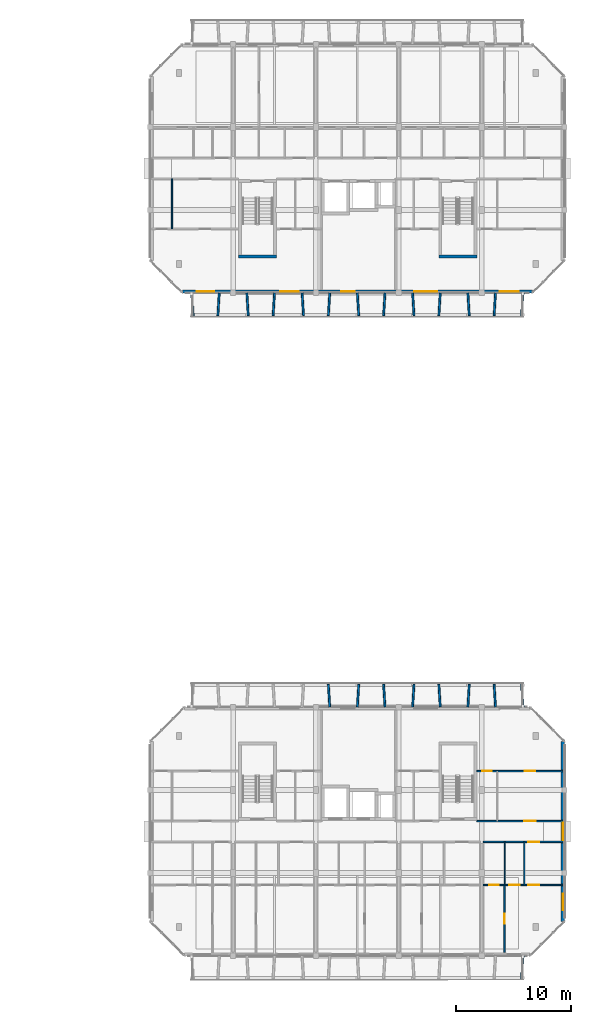
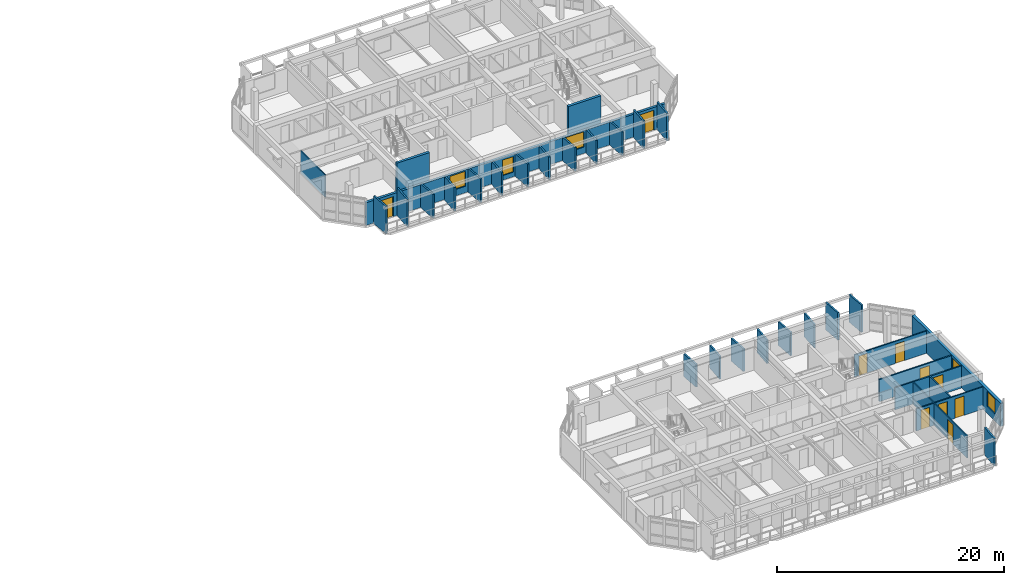
# One storey, part 19 of 31: 34 walls, 10 doors, 5 windows, 15 openings.
"""IFC4 building model written with IfcOpenShell, lengths in metres."""

from ifc_helpers import new_model, si_unit, direction, frame, frame_2d, origin, place, context, subcontext, project, spatial, rectangle, extrude, material, layer, layer_set, type_object, element, fill, save


model = new_model("IFC4")

# Units and contexts
model_context = context("Model", 3, precision=1e-05, world=origin(), true_north=direction((0.0, 1.0)))
body_context = subcontext(model_context, "Body", "Model", "MODEL_VIEW")
ifc_project = project(units=[si_unit("LENGTHUNIT", "METRE"), si_unit("AREAUNIT", "SQUARE_METRE"), si_unit("VOLUMEUNIT", "CUBIC_METRE"), si_unit("PLANEANGLEUNIT", "RADIAN"), si_unit("MASSUNIT", "GRAM", prefix="KILO")], contexts=[model_context])

# Site, building, storey
site_placement = place(None, origin())
site = spatial("IfcSite", under=ifc_project, at=site_placement, CompositionType="ELEMENT")
building_placement = place(site_placement, origin())
building = spatial("IfcBuilding", under=site, at=building_placement, Name="Ochrevale Crest", CompositionType="ELEMENT")
storey_placement = place(building_placement, frame((0.0, 0.0, 37.050048828125)))
storey = spatial("IfcBuildingStorey", under=building, at=storey_placement, Name="L11", CompositionType="ELEMENT", Elevation=37.050048828125)

# Wall, opening, door
ifc_material_1 = material(Name="Gypsum plasterboard", Category="gypsum")
ifc_layer_1 = layer(ifc_material_1, 0.139892578125)
ifc_layer_set_1 = layer_set([ifc_layer_1], Name="Gypsum plasterboard")
wall_type_1 = type_object("IfcWallType", Name="WL-COR-140", PredefinedType="PARTITIONING", material=ifc_layer_set_1)
wall_1_placement = place(storey_placement, frame((158.5400390625, 24.300048828125, 0.0), z_axis=(0.0, 0.0, 1.0), x_axis=(1.0, 0.0, 0.0)))
wall_1 = element("IfcWall", 1, at=wall_1_placement, inside=storey, type_object=wall_type_1, Name="Apartment C-L11-U5 corridor wall", PredefinedType="PARTITIONING", context=body_context, shape_type="SweptSolid", body=[
    extrude(rectangle(XDim=6.919921875, YDim=0.139892578125, at=frame_2d((3.4599609375, 0.0))), origin(), (0.0, 0.0, 1.0), 2.3798828125),
])
opening_1_placement = place(wall_1_placement, frame((4.875, 0.0, 0.0), z_axis=(0.0, 0.0, 1.0), x_axis=(-1.0, 0.0, 0.0)))
opening_1 = element("IfcOpeningElement", 2, at=opening_1_placement, cuts=wall_1, Name="Opening FD01", PredefinedType="OPENING", context=body_context, shape_type="SweptSolid", body=[
    extrude(rectangle(XDim=0.97998046875, YDim=2.10009765625, at=frame_2d((0.489990234375, 1.050048828125))), frame((0.0, 0.080078125, 0.0), z_axis=(0.0, -1.0, 0.0), x_axis=(1.0, 0.0, 0.0)), (0.0, 0.0, 1.0), 0.159912109375),
])
ifc_material_2 = material(Name="Solid-core FSC hardwood", Category="wood")
door_type_1 = type_object("IfcDoorType", Name="DR-APT-950", OperationType="NOTDEFINED", PredefinedType="DOOR", material=ifc_material_2)
door_1_placement = place(opening_1_placement, origin())
door_1 = element("IfcDoor", 3, at=door_1_placement, inside=storey, type_object=door_type_1, Name="Apartment C-L11-U5 entrance door", OperationType="SINGLE_SWING_RIGHT", OverallHeight=2.10009765625, OverallWidth=0.97998046875, PredefinedType="DOOR", context=body_context, shape_type="SweptSolid", body=[
    extrude(rectangle(XDim=0.97998046875, YDim=2.10009765625, at=frame_2d((0.489990234375, 1.050048828125))), frame((0.0, 0.02490234375, 0.0), z_axis=(0.0, -1.0, 0.0), x_axis=(1.0, 0.0, 0.0)), (0.0, 0.0, 1.0), 0.050048828125),
])
fill(opening_1, door_1)

wall_2_placement = place(storey_placement, frame((157.989990234375, 26.10009765625, 0.0), z_axis=(0.0, 0.0, 1.0), x_axis=(1.0, 0.0, 0.0)))
wall_2 = element("IfcWall", 4, at=wall_2_placement, inside=storey, type_object=wall_type_1, Name="Suite C-L11-CE corridor wall", PredefinedType="PARTITIONING", context=body_context, shape_type="SweptSolid", body=[
    extrude(rectangle(XDim=7.469970703125, YDim=0.139892578125, at=frame_2d((3.73486328125, 0.0))), origin(), (0.0, 0.0, 1.0), 2.3798828125),
])
opening_2_placement = place(wall_2_placement, frame((5.10009765625, 0.0, 0.0), z_axis=(0.0, 0.0, 1.0), x_axis=(-1.0, 0.0, 0.0)))
opening_2 = element("IfcOpeningElement", 5, at=opening_2_placement, cuts=wall_2, Name="Opening FD01", PredefinedType="OPENING", context=body_context, shape_type="SweptSolid", body=[
    extrude(rectangle(XDim=0.97998046875, YDim=2.10009765625, at=frame_2d((0.489990234375, 1.050048828125))), frame((0.0, 0.080078125, 0.0), z_axis=(0.0, -1.0, 0.0), x_axis=(1.0, 0.0, 0.0)), (0.0, 0.0, 1.0), 0.159912109375),
])
door_2_placement = place(opening_2_placement, origin())
door_2 = element("IfcDoor", 6, at=door_2_placement, inside=storey, type_object=door_type_1, Name="Suite C-L11-CE entrance door", OperationType="SINGLE_SWING_RIGHT", OverallHeight=2.10009765625, OverallWidth=0.97998046875, PredefinedType="DOOR", context=body_context, shape_type="SweptSolid", body=[
    extrude(rectangle(XDim=0.97998046875, YDim=2.10009765625, at=frame_2d((0.489990234375, 1.050048828125))), frame((0.0, 0.02490234375, 0.0), z_axis=(0.0, -1.0, 0.0), x_axis=(1.0, 0.0, 0.0)), (0.0, 0.0, 1.0), 0.050048828125),
])
fill(opening_2, door_2)

# Walls
ifc_material_3 = material(Name="Precast concrete C50/60", Category="concrete")
ifc_layer_2 = layer(ifc_material_3, 0.2548828125)
ifc_layer_set_2 = layer_set([ifc_layer_2], Name="Precast concrete C50/60")
wall_type_2 = type_object("IfcWallType", Name="WL-CORE-255", PredefinedType="SHEAR", material=ifc_layer_set_2)
for number, where, z_axis, x_axis, name in (
    (7, (137.2724609375, 75.14990234375, 0.0), (0.0, 0.0, 1.0), (1.0, 0.0, 0.0), "Block D L11 Stair 1 precast core shear wall S"),
    (8, (154.672607421875, 75.14990234375, 0.0), (0.0, 0.0, 1.0), (1.0, 0.0, 0.0), "Block D L11 Stair 2 precast core shear wall S"),
):
    element("IfcWall", number, at=place(storey_placement, frame(where, z_axis=z_axis, x_axis=x_axis)), inside=storey, type_object=wall_type_2, Name=name, PredefinedType="SHEAR", context=body_context, shape_type="SweptSolid", body=[
        extrude(rectangle(XDim=3.304931640625, YDim=0.2548828125, at=frame_2d((1.65234375, 0.0))), origin(), (0.0, 0.0, 1.0), 3.14990234375),
    ])

# Wall, openings, windows
ifc_material_4 = material(Name="Clay face brickwork", Category="masonry")
ifc_layer_3 = layer(ifc_material_4, 0.2900390625)
ifc_layer_set_3 = layer_set([ifc_layer_3], Name="Clay face brickwork")
wall_type_3 = type_object("IfcWallType", Name="WL-EXT-BRICK-290", PredefinedType="SOLIDWALL", material=ifc_layer_set_3)
wall_3_placement = place(storey_placement, frame((165.455078125, 17.39990234375, 0.0), z_axis=(0.0, 0.0, 1.0), x_axis=(0.0, 1.0, 0.0)))
wall_3 = element("IfcWall", 9, at=wall_3_placement, inside=storey, type_object=wall_type_3, Name="Block C L11 external facade wall E3", PredefinedType="SOLIDWALL", context=body_context, shape_type="SweptSolid", body=[
    extrude(rectangle(XDim=15.60009765625, YDim=0.2900390625, at=frame_2d((7.800048828125, 0.0))), origin(), (0.0, 0.0, 1.0), 2.47998046875),
])
opening_3_placement = place(wall_3_placement, frame((7.050048828125, 0.0, 1.050048828125)))
opening_3 = element("IfcOpeningElement", 10, at=opening_3_placement, cuts=wall_3, Name="Opening W18", PredefinedType="OPENING", context=body_context, shape_type="SweptSolid", body=[
    extrude(rectangle(XDim=1.5, YDim=1.14990234375, at=frame_2d((0.75, 0.574951171875))), frame((0.0, 0.155029296875, 0.0), z_axis=(0.0, -1.0, 0.0), x_axis=(1.0, 0.0, 0.0)), (0.0, 0.0, 1.0), 0.31005859375),
])
opening_4_placement = place(wall_3_placement, frame((0.97998046875, 0.0, 0.75)))
opening_4 = element("IfcOpeningElement", 11, at=opening_4_placement, cuts=wall_3, Name="Opening W31", PredefinedType="OPENING", context=body_context, shape_type="SweptSolid", body=[
    extrude(rectangle(XDim=1.419921875, YDim=1.60009765625, at=frame_2d((0.7099609375, 0.800048828125))), frame((0.0, 0.155029296875, 0.0), z_axis=(0.0, -1.0, 0.0), x_axis=(1.0, 0.0, 0.0)), (0.0, 0.0, 1.0), 0.31005859375),
])
ifc_material_5 = material(Name="Anodised aluminium 6063-T5 and low-E double glazing", Category="aluminium")
window_type_1 = type_object("IfcWindowType", Name="WIN-W18", PartitioningType="SINGLE_PANEL", PredefinedType="WINDOW", material=ifc_material_5)
window_1_placement = place(opening_3_placement, origin())
window_1 = element("IfcWindow", 12, at=window_1_placement, inside=storey, type_object=window_type_1, Name="Block C L11 corridor end daylight window E", OverallHeight=1.14990234375, OverallWidth=1.5, PartitioningType="SINGLE_PANEL", PredefinedType="WINDOW", context=body_context, shape_type="SweptSolid", body=[
    extrude(rectangle(XDim=1.5, YDim=1.14990234375, at=frame_2d((0.75, 0.574951171875))), frame((0.0, 0.030029296875, 0.0), z_axis=(0.0, -1.0, 0.0), x_axis=(1.0, 0.0, 0.0)), (0.0, 0.0, 1.0), 0.06005859375),
])
fill(opening_3, window_1)
window_type_2 = type_object("IfcWindowType", Name="WIN-W31", PartitioningType="SINGLE_PANEL", PredefinedType="WINDOW", material=ifc_material_5)
window_2_placement = place(opening_4_placement, origin())
window_2 = element("IfcWindow", 13, at=window_2_placement, inside=storey, type_object=window_type_2, Name="Block C L11 side suite window E", OverallHeight=1.60009765625, OverallWidth=1.419921875, PartitioningType="SINGLE_PANEL", PredefinedType="WINDOW", context=body_context, shape_type="SweptSolid", body=[
    extrude(rectangle(XDim=1.419921875, YDim=1.60009765625, at=frame_2d((0.7099609375, 0.800048828125))), frame((0.0, 0.030029296875, 0.0), z_axis=(0.0, -1.0, 0.0), x_axis=(1.0, 0.0, 0.0)), (0.0, 0.0, 1.0), 0.06005859375),
])
fill(opening_4, window_2)

# Wall, openings, doors, windows
ifc_material_6 = material(Name="Precast concrete C40/50", Category="concrete")
ifc_layer_4 = layer(ifc_material_6, 0.25)
ifc_layer_set_4 = layer_set([ifc_layer_4], Name="Precast concrete C40/50")
wall_type_4 = type_object("IfcWallType", Name="WL-EXT-GOLD-250", PredefinedType="SOLIDWALL", material=ifc_layer_set_4)
wall_4_placement = place(storey_placement, frame((132.39990234375, 72.125, 0.0), z_axis=(0.0, 0.0, 1.0), x_axis=(1.0, 0.0, 0.0)))
wall_4 = element("IfcWall", 14, at=wall_4_placement, inside=storey, type_object=wall_type_4, Name="Block D L11 external facade wall E1", PredefinedType="SOLIDWALL", context=body_context, shape_type="SweptSolid", body=[
    extrude(rectangle(XDim=30.400146484375, YDim=0.25, at=frame_2d((15.2001953125, 0.0))), origin(), (0.0, 0.0, 1.0), 2.449951171875),
])
opening_5_placement = place(wall_4_placement, frame((2.75, 0.0, 0.0), z_axis=(0.0, 0.0, 1.0), x_axis=(-1.0, 0.0, 0.0)))
opening_5 = element("IfcOpeningElement", 15, at=opening_5_placement, cuts=wall_4, Name="Opening BD01", PredefinedType="OPENING", context=body_context, shape_type="SweptSolid", body=[
    extrude(rectangle(XDim=1.5, YDim=2.14990234375, at=frame_2d((0.75, 1.074951171875))), frame((0.0, 0.135009765625, 0.0), z_axis=(0.0, -1.0, 0.0), x_axis=(1.0, 0.0, 0.0)), (0.0, 0.0, 1.0), 0.27001953125),
])
opening_6_placement = place(wall_4_placement, frame((29.224853515625, 0.0, 0.0), z_axis=(0.0, 0.0, 1.0), x_axis=(-1.0, 0.0, 0.0)))
opening_6 = element("IfcOpeningElement", 16, at=opening_6_placement, cuts=wall_4, Name="Opening BD02", PredefinedType="OPENING", context=body_context, shape_type="SweptSolid", body=[
    extrude(rectangle(XDim=1.64990234375, YDim=2.14990234375, at=frame_2d((0.824951171875, 1.074951171875))), frame((0.0, 0.135009765625, 0.0), z_axis=(0.0, -1.0, 0.0), x_axis=(1.0, 0.0, 0.0)), (0.0, 0.0, 1.0), 0.27001953125),
])
opening_7_placement = place(wall_4_placement, frame((13.820068359375, 0.0, 0.5)))
opening_7 = element("IfcOpeningElement", 17, at=opening_7_placement, cuts=wall_4, Name="Opening W32", PredefinedType="OPENING", context=body_context, shape_type="SweptSolid", body=[
    extrude(rectangle(XDim=1.14990234375, YDim=1.679931640625, at=frame_2d((0.574951171875, 0.83984375))), frame((0.0, 0.135009765625, 0.0), z_axis=(0.0, -1.0, 0.0), x_axis=(1.0, 0.0, 0.0)), (0.0, 0.0, 1.0), 0.27001953125),
])
opening_8_placement = place(wall_4_placement, frame((20.125, 0.0, 0.68994140625)))
opening_8 = element("IfcOpeningElement", 18, at=opening_8_placement, cuts=wall_4, Name="Opening W12", PredefinedType="OPENING", context=body_context, shape_type="SweptSolid", body=[
    extrude(rectangle(XDim=2.0, YDim=1.64990234375, at=frame_2d((1.0, 0.824951171875))), frame((0.0, 0.135009765625, 0.0), z_axis=(0.0, -1.0, 0.0), x_axis=(1.0, 0.0, 0.0)), (0.0, 0.0, 1.0), 0.27001953125),
])
opening_9_placement = place(wall_4_placement, frame((8.510009765625, 0.0, 0.699951171875)))
opening_9 = element("IfcOpeningElement", 19, at=opening_9_placement, cuts=wall_4, Name="Opening W09", PredefinedType="OPENING", context=body_context, shape_type="SweptSolid", body=[
    extrude(rectangle(XDim=1.580078125, YDim=1.60009765625, at=frame_2d((0.7900390625, 0.800048828125))), frame((0.0, 0.135009765625, 0.0), z_axis=(0.0, -1.0, 0.0), x_axis=(1.0, 0.0, 0.0)), (0.0, 0.0, 1.0), 0.27001953125),
])
ifc_material_7 = material(Name="Anodised aluminium 6063-T5 and toughened glass", Category="aluminium")
door_type_2 = type_object("IfcDoorType", Name="DR-BAL-1500", OperationType="NOTDEFINED", PredefinedType="DOOR", material=ifc_material_7)
door_3_placement = place(opening_5_placement, origin())
door_3 = element("IfcDoor", 20, at=door_3_placement, inside=storey, type_object=door_type_2, Name="Block D L11 balcony door S1", OperationType="SINGLE_SWING_LEFT", OverallHeight=2.14990234375, OverallWidth=1.5, PredefinedType="DOOR", context=body_context, shape_type="SweptSolid", body=[
    extrude(rectangle(XDim=1.5, YDim=2.14990234375, at=frame_2d((0.75, 1.074951171875))), frame((0.0, 0.02490234375, 0.0), z_axis=(0.0, -1.0, 0.0), x_axis=(1.0, 0.0, 0.0)), (0.0, 0.0, 1.0), 0.050048828125),
])
fill(opening_5, door_3)
door_type_3 = type_object("IfcDoorType", Name="DR-BAL-1650", OperationType="NOTDEFINED", PredefinedType="DOOR", material=ifc_material_7)
door_4_placement = place(opening_6_placement, origin())
door_4 = element("IfcDoor", 21, at=door_4_placement, inside=storey, type_object=door_type_3, Name="Block D L11 balcony door S5", OperationType="SINGLE_SWING_RIGHT", OverallHeight=2.14990234375, OverallWidth=1.64990234375, PredefinedType="DOOR", context=body_context, shape_type="SweptSolid", body=[
    extrude(rectangle(XDim=1.64990234375, YDim=2.14990234375, at=frame_2d((0.824951171875, 1.074951171875))), frame((0.0, 0.02490234375, 0.0), z_axis=(0.0, -1.0, 0.0), x_axis=(1.0, 0.0, 0.0)), (0.0, 0.0, 1.0), 0.050048828125),
])
fill(opening_6, door_4)
window_type_3 = type_object("IfcWindowType", Name="WIN-W09", PartitioningType="SINGLE_PANEL", PredefinedType="WINDOW", material=ifc_material_5)
window_3_placement = place(opening_9_placement, origin())
window_3 = element("IfcWindow", 22, at=window_3_placement, inside=storey, type_object=window_type_3, Name="Block D L11 Suite D-L11-MW Courtyard Studio Living window", OverallHeight=1.60009765625, OverallWidth=1.580078125, PartitioningType="SINGLE_PANEL", PredefinedType="WINDOW", context=body_context, shape_type="SweptSolid", body=[
    extrude(rectangle(XDim=1.580078125, YDim=1.60009765625, at=frame_2d((0.7900390625, 0.800048828125))), frame((0.0, 0.030029296875, 0.0), z_axis=(0.0, -1.0, 0.0), x_axis=(1.0, 0.0, 0.0)), (0.0, 0.0, 1.0), 0.06005859375),
])
fill(opening_9, window_3)
window_type_4 = type_object("IfcWindowType", Name="WIN-W12", PartitioningType="SINGLE_PANEL", PredefinedType="WINDOW", material=ifc_material_5)
window_4_placement = place(opening_8_placement, origin())
window_4 = element("IfcWindow", 23, at=window_4_placement, inside=storey, type_object=window_type_4, Name="Block D L11 Suite D-L11-ME Garden Alcove Studio window", OverallHeight=1.64990234375, OverallWidth=2.0, PartitioningType="SINGLE_PANEL", PredefinedType="WINDOW", context=body_context, shape_type="SweptSolid", body=[
    extrude(rectangle(XDim=2.0, YDim=1.64990234375, at=frame_2d((1.0, 0.824951171875))), frame((0.0, 0.030029296875, 0.0), z_axis=(0.0, -1.0, 0.0), x_axis=(1.0, 0.0, 0.0)), (0.0, 0.0, 1.0), 0.06005859375),
])
fill(opening_8, window_4)
window_type_5 = type_object("IfcWindowType", Name="WIN-W32", PartitioningType="SINGLE_PANEL", PredefinedType="WINDOW", material=ifc_material_5)
window_5_placement = place(opening_7_placement, origin())
window_5 = element("IfcWindow", 24, at=window_5_placement, inside=storey, type_object=window_type_5, Name="Block D L11 core lancet window", OverallHeight=1.679931640625, OverallWidth=1.14990234375, PartitioningType="SINGLE_PANEL", PredefinedType="WINDOW", context=body_context, shape_type="SweptSolid", body=[
    extrude(rectangle(XDim=1.14990234375, YDim=1.679931640625, at=frame_2d((0.574951171875, 0.83984375))), frame((0.0, 0.030029296875, 0.0), z_axis=(0.0, -1.0, 0.0), x_axis=(1.0, 0.0, 0.0)), (0.0, 0.0, 1.0), 0.06005859375),
])
fill(opening_7, window_5)

# Walls
ifc_layer_5 = layer(ifc_material_6, 0.1650390625)
ifc_layer_set_5 = layer_set([ifc_layer_5], Name="Precast concrete C40/50")
wall_type_5 = type_object("IfcWallType", Name="WL-HC-CHEEK-165", PredefinedType="ELEMENTEDWALL", material=ifc_layer_set_5)
wall_5_placement = place(storey_placement, frame((162.0, 14.3798828125, 0.0), z_axis=(0.0, 0.0, 1.0), x_axis=(-0.071194071069, -0.997462482625, 0.0)))
element("IfcWall", 25, at=wall_5_placement, inside=storey, type_object=wall_type_5, Name="Block C L11 S precast honeycomb cheek 13", PredefinedType="ELEMENTEDWALL", context=body_context, shape_type="SweptSolid", body=[
    extrude(rectangle(XDim=1.96484375, YDim=0.1650390625, at=frame_2d((0.982421875, 0.0))), origin(), (0.0, 0.0, 1.0), 2.949951171875),
])
for number, where, z_axis, x_axis, name in (
    (26, (145.199951171875, 36.02001953125, 0.0), (0.0, 0.0, 1.0), (-0.061046865508, 0.998134900808, 0.0), "Block C L11 N precast honeycomb cheek 6"),
    (27, (147.60009765625, 36.02001953125, 0.0), (0.0, 0.0, 1.0), (0.061046865508, 0.998134900808, 0.0), "Block C L11 N precast honeycomb cheek 7"),
    (28, (150.0, 36.02001953125, 0.0), (0.0, 0.0, 1.0), (-0.061170732449, 0.998127317276, 0.0), "Block C L11 N precast honeycomb cheek 8"),
):
    element("IfcWall", number, at=place(storey_placement, frame(where, z_axis=z_axis, x_axis=x_axis)), inside=storey, type_object=wall_type_5, Name=name, PredefinedType="ELEMENTEDWALL", context=body_context, shape_type="SweptSolid", body=[
        extrude(rectangle(XDim=1.963623046875, YDim=0.1650390625, at=frame_2d((0.98193359375, 0.0))), origin(), (0.0, 0.0, 1.0), 2.449951171875),
    ])
for number, where, z_axis, x_axis, name in (
    (29, (152.39990234375, 36.02001953125, 0.0), (0.0, 0.0, 1.0), (0.061170732449, 0.998127317276, 0.0), "Block C L11 N precast honeycomb cheek 9"),
    (30, (154.800048828125, 36.02001953125, 0.0), (0.0, 0.0, 1.0), (-0.061170732449, 0.998127317276, 0.0), "Block C L11 N precast honeycomb cheek 10"),
    (31, (157.199951171875, 36.02001953125, 0.0), (0.0, 0.0, 1.0), (0.061170732449, 0.998127317276, 0.0), "Block C L11 N precast honeycomb cheek 11"),
):
    element("IfcWall", number, at=place(storey_placement, frame(where, z_axis=z_axis, x_axis=x_axis)), inside=storey, type_object=wall_type_5, Name=name, PredefinedType="ELEMENTEDWALL", context=body_context, shape_type="SweptSolid", body=[
        extrude(rectangle(XDim=1.963623046875, YDim=0.1650390625, at=frame_2d((0.98193359375, 0.0))), origin(), (0.0, 0.0, 1.0), 2.530029296875),
    ])
wall_6_placement = place(storey_placement, frame((159.60009765625, 36.02001953125, 0.0), z_axis=(0.0, 0.0, 1.0), x_axis=(-0.061170732449, 0.998127317276, 0.0)))
element("IfcWall", 32, at=wall_6_placement, inside=storey, type_object=wall_type_5, Name="Block C L11 N precast honeycomb cheek 12", PredefinedType="ELEMENTEDWALL", context=body_context, shape_type="SweptSolid", body=[
    extrude(rectangle(XDim=1.963623046875, YDim=0.1650390625, at=frame_2d((0.98193359375, 0.0))), origin(), (0.0, 0.0, 1.0), 2.949951171875),
])
for number, where, z_axis, x_axis, name in (
    (33, (162.0, 36.02001953125, 0.0), (0.0, 0.0, 1.0), (-0.071194071069, 0.997462482625, 0.0), "Block C L11 N precast honeycomb cheek 13"),
    (34, (133.199951171875, 71.97998046875, 0.0), (0.0, 0.0, 1.0), (0.071317687608, -0.997453651772, 0.0), "Block D L11 S precast honeycomb cheek 1"),
):
    element("IfcWall", number, at=place(storey_placement, frame(where, z_axis=z_axis, x_axis=x_axis)), inside=storey, type_object=wall_type_5, Name=name, PredefinedType="ELEMENTEDWALL", context=body_context, shape_type="SweptSolid", body=[
        extrude(rectangle(XDim=1.96484375, YDim=0.1650390625, at=frame_2d((0.982421875, 0.0))), origin(), (0.0, 0.0, 1.0), 2.949951171875),
    ])
wall_7_placement = place(storey_placement, frame((135.60009765625, 71.97998046875, 0.0), z_axis=(0.0, 0.0, 1.0), x_axis=(-0.061170732449, -0.998127317276, 0.0)))
element("IfcWall", 35, at=wall_7_placement, inside=storey, type_object=wall_type_5, Name="Block D L11 S precast honeycomb cheek 2", PredefinedType="ELEMENTEDWALL", context=body_context, shape_type="SweptSolid", body=[
    extrude(rectangle(XDim=1.963623046875, YDim=0.1650390625, at=frame_2d((0.98193359375, 0.0))), origin(), (0.0, 0.0, 1.0), 2.949951171875),
])
for number, where, z_axis, x_axis, name in (
    (36, (138.0, 71.97998046875, 0.0), (0.0, 0.0, 1.0), (0.061170732449, -0.998127317276, 0.0), "Block D L11 S precast honeycomb cheek 3"),
    (37, (140.39990234375, 71.97998046875, 0.0), (0.0, 0.0, 1.0), (-0.061046865508, -0.998134900808, 0.0), "Block D L11 S precast honeycomb cheek 4"),
    (38, (142.800048828125, 71.97998046875, 0.0), (0.0, 0.0, 1.0), (0.061046865508, -0.998134900808, 0.0), "Block D L11 S precast honeycomb cheek 5"),
):
    element("IfcWall", number, at=place(storey_placement, frame(where, z_axis=z_axis, x_axis=x_axis)), inside=storey, type_object=wall_type_5, Name=name, PredefinedType="ELEMENTEDWALL", context=body_context, shape_type="SweptSolid", body=[
        extrude(rectangle(XDim=1.963623046875, YDim=0.1650390625, at=frame_2d((0.98193359375, 0.0))), origin(), (0.0, 0.0, 1.0), 2.550048828125),
    ])
for number, where, z_axis, x_axis, name in (
    (39, (145.199951171875, 71.97998046875, 0.0), (0.0, 0.0, 1.0), (-0.061046865508, -0.998134900808, 0.0), "Block D L11 S precast honeycomb cheek 6"),
    (40, (147.60009765625, 71.97998046875, 0.0), (0.0, 0.0, 1.0), (0.061046865508, -0.998134900808, 0.0), "Block D L11 S precast honeycomb cheek 7"),
    (41, (150.0, 71.97998046875, 0.0), (0.0, 0.0, 1.0), (-0.061170732449, -0.998127317276, 0.0), "Block D L11 S precast honeycomb cheek 8"),
):
    element("IfcWall", number, at=place(storey_placement, frame(where, z_axis=z_axis, x_axis=x_axis)), inside=storey, type_object=wall_type_5, Name=name, PredefinedType="ELEMENTEDWALL", context=body_context, shape_type="SweptSolid", body=[
        extrude(rectangle(XDim=1.963623046875, YDim=0.1650390625, at=frame_2d((0.98193359375, 0.0))), origin(), (0.0, 0.0, 1.0), 2.449951171875),
    ])
for number, where, z_axis, x_axis, name in (
    (42, (152.39990234375, 71.97998046875, 0.0), (0.0, 0.0, 1.0), (0.061170732449, -0.998127317276, 0.0), "Block D L11 S precast honeycomb cheek 9"),
    (43, (154.800048828125, 71.97998046875, 0.0), (0.0, 0.0, 1.0), (-0.061170732449, -0.998127317276, 0.0), "Block D L11 S precast honeycomb cheek 10"),
    (44, (157.199951171875, 71.97998046875, 0.0), (0.0, 0.0, 1.0), (0.061170732449, -0.998127317276, 0.0), "Block D L11 S precast honeycomb cheek 11"),
):
    element("IfcWall", number, at=place(storey_placement, frame(where, z_axis=z_axis, x_axis=x_axis)), inside=storey, type_object=wall_type_5, Name=name, PredefinedType="ELEMENTEDWALL", context=body_context, shape_type="SweptSolid", body=[
        extrude(rectangle(XDim=1.963623046875, YDim=0.1650390625, at=frame_2d((0.98193359375, 0.0))), origin(), (0.0, 0.0, 1.0), 2.530029296875),
    ])
wall_8_placement = place(storey_placement, frame((159.60009765625, 71.97998046875, 0.0), z_axis=(0.0, 0.0, 1.0), x_axis=(-0.061170732449, -0.998127317276, 0.0)))
element("IfcWall", 45, at=wall_8_placement, inside=storey, type_object=wall_type_5, Name="Block D L11 S precast honeycomb cheek 12", PredefinedType="ELEMENTEDWALL", context=body_context, shape_type="SweptSolid", body=[
    extrude(rectangle(XDim=1.963623046875, YDim=0.1650390625, at=frame_2d((0.98193359375, 0.0))), origin(), (0.0, 0.0, 1.0), 2.949951171875),
])
wall_9_placement = place(storey_placement, frame((162.0, 71.97998046875, 0.0), z_axis=(0.0, 0.0, 1.0), x_axis=(-0.071194071069, -0.997462482625, 0.0)))
element("IfcWall", 46, at=wall_9_placement, inside=storey, type_object=wall_type_5, Name="Block D L11 S precast honeycomb cheek 13", PredefinedType="ELEMENTEDWALL", context=body_context, shape_type="SweptSolid", body=[
    extrude(rectangle(XDim=1.96484375, YDim=0.1650390625, at=frame_2d((0.982421875, 0.0))), origin(), (0.0, 0.0, 1.0), 2.949951171875),
])
ifc_layer_6 = layer(ifc_material_1, 0.1201171875)
ifc_layer_set_6 = layer_set([ifc_layer_6], Name="Gypsum plasterboard")
wall_type_6 = type_object("IfcWallType", Name="WL-PART-120", PredefinedType="PARTITIONING", material=ifc_layer_set_6)
wall_10_placement = place(storey_placement, frame((162.10009765625, 20.550048828125, 0.0), z_axis=(0.0, 0.0, 1.0), x_axis=(0.0, 1.0, 0.0)))
element("IfcWall", 47, at=wall_10_placement, inside=storey, type_object=wall_type_6, Name="Apartment C-L11-U5 kitchen-foyer wall", PredefinedType="PARTITIONING", context=body_context, shape_type="SweptSolid", body=[
    extrude(rectangle(XDim=3.75, YDim=0.1201171875, at=frame_2d((1.875, 0.0))), origin(), (0.0, 0.0, 1.0), 2.3798828125),
])

# Wall, openings, doors
wall_11_placement = place(storey_placement, frame((158.5400390625, 20.550048828125, 0.0), z_axis=(0.0, 0.0, 1.0), x_axis=(1.0, 0.0, 0.0)))
wall_11 = element("IfcWall", 48, at=wall_11_placement, inside=storey, type_object=wall_type_6, Name="Apartment C-L11-U5 central partition", PredefinedType="PARTITIONING", context=body_context, shape_type="SweptSolid", body=[
    extrude(rectangle(XDim=6.919921875, YDim=0.1201171875, at=frame_2d((3.4599609375, 0.0))), origin(), (0.0, 0.0, 1.0), 2.3798828125),
])
opening_10_placement = place(wall_11_placement, frame((0.5, 0.0, 0.0)))
opening_10 = element("IfcOpeningElement", 49, at=opening_10_placement, cuts=wall_11, Name="Opening ID01", PredefinedType="OPENING", context=body_context, shape_type="SweptSolid", body=[
    extrude(rectangle(XDim=0.85009765625, YDim=2.080078125, at=frame_2d((0.425048828125, 1.0400390625))), frame((0.0, 0.070068359375, 0.0), z_axis=(0.0, -1.0, 0.0), x_axis=(1.0, 0.0, 0.0)), (0.0, 0.0, 1.0), 0.14013671875),
])
opening_11_placement = place(wall_11_placement, frame((3.15478515625, 0.0, 0.0), z_axis=(0.0, 0.0, 1.0), x_axis=(-1.0, 0.0, 0.0)))
opening_11 = element("IfcOpeningElement", 50, at=opening_11_placement, cuts=wall_11, Name="Opening ID02", PredefinedType="OPENING", context=body_context, shape_type="SweptSolid", body=[
    extrude(rectangle(XDim=0.89990234375, YDim=2.080078125, at=frame_2d((0.449951171875, 1.0400390625))), frame((0.0, 0.070068359375, 0.0), z_axis=(0.0, -1.0, 0.0), x_axis=(1.0, 0.0, 0.0)), (0.0, 0.0, 1.0), 0.14013671875),
])
opening_12_placement = place(wall_11_placement, frame((3.909912109375, 0.0, 0.0)))
opening_12 = element("IfcOpeningElement", 51, at=opening_12_placement, cuts=wall_11, Name="Opening ID06", PredefinedType="OPENING", context=body_context, shape_type="SweptSolid", body=[
    extrude(rectangle(XDim=0.949951171875, YDim=2.080078125, at=frame_2d((0.47509765625, 1.0400390625))), frame((0.0, 0.070068359375, 0.0), z_axis=(0.0, -1.0, 0.0), x_axis=(1.0, 0.0, 0.0)), (0.0, 0.0, 1.0), 0.14013671875),
])
door_type_4 = type_object("IfcDoorType", Name="DR-INT-900", OperationType="NOTDEFINED", PredefinedType="DOOR", material=ifc_material_2)
door_5_placement = place(opening_11_placement, origin())
door_5 = element("IfcDoor", 52, at=door_5_placement, inside=storey, type_object=door_type_4, Name="Apartment C-L11-U5 Kitchen door", OperationType="SINGLE_SWING_RIGHT", OverallHeight=2.080078125, OverallWidth=0.89990234375, PredefinedType="DOOR", context=body_context, shape_type="SweptSolid", body=[
    extrude(rectangle(XDim=0.89990234375, YDim=2.080078125, at=frame_2d((0.449951171875, 1.0400390625))), frame((0.0, 0.02490234375, 0.0), z_axis=(0.0, -1.0, 0.0), x_axis=(1.0, 0.0, 0.0)), (0.0, 0.0, 1.0), 0.050048828125),
])
fill(opening_11, door_5)
door_type_5 = type_object("IfcDoorType", Name="DR-INT-950", OperationType="NOTDEFINED", PredefinedType="DOOR", material=ifc_material_2)
door_6_placement = place(opening_12_placement, origin())
door_6 = element("IfcDoor", 53, at=door_6_placement, inside=storey, type_object=door_type_5, Name="Apartment C-L11-U5 Living Foyer door", OperationType="SINGLE_SWING_LEFT", OverallHeight=2.080078125, OverallWidth=0.949951171875, PredefinedType="DOOR", context=body_context, shape_type="SweptSolid", body=[
    extrude(rectangle(XDim=0.949951171875, YDim=2.080078125, at=frame_2d((0.47509765625, 1.0400390625))), frame((0.0, 0.02490234375, 0.0), z_axis=(0.0, -1.0, 0.0), x_axis=(1.0, 0.0, 0.0)), (0.0, 0.0, 1.0), 0.050048828125),
])
fill(opening_12, door_6)
door_type_6 = type_object("IfcDoorType", Name="DR-WC-850", OperationType="NOTDEFINED", PredefinedType="DOOR", material=ifc_material_2)
door_7_placement = place(opening_10_placement, origin())
door_7 = element("IfcDoor", 54, at=door_7_placement, inside=storey, type_object=door_type_6, Name="Apartment C-L11-U5 Bathroom door", OperationType="SINGLE_SWING_LEFT", OverallHeight=2.080078125, OverallWidth=0.85009765625, PredefinedType="DOOR", context=body_context, shape_type="SweptSolid", body=[
    extrude(rectangle(XDim=0.85009765625, YDim=2.080078125, at=frame_2d((0.425048828125, 1.0400390625))), frame((0.0, 0.02490234375, 0.0), z_axis=(0.0, -1.0, 0.0), x_axis=(1.0, 0.0, 0.0)), (0.0, 0.0, 1.0), 0.050048828125),
])
fill(opening_10, door_7)

# Wall, opening, door
wall_12_placement = place(storey_placement, frame((160.389892578125, 14.699951171875, 0.0), z_axis=(0.0, 0.0, 1.0), x_axis=(0.0, 1.0, 0.0)))
wall_12 = element("IfcWall", 55, at=wall_12_placement, inside=storey, type_object=wall_type_6, Name="Apartment C-L11-U5 bedroom partition", PredefinedType="PARTITIONING", context=body_context, shape_type="SweptSolid", body=[
    extrude(rectangle(XDim=5.85009765625, YDim=0.1201171875, at=frame_2d((2.925048828125, 0.0))), origin(), (0.0, 0.0, 1.0), 2.3798828125),
])
opening_13_placement = place(wall_12_placement, frame((2.47509765625, 0.0, 0.0)))
opening_13 = element("IfcOpeningElement", 56, at=opening_13_placement, cuts=wall_12, Name="Opening ID02", PredefinedType="OPENING", context=body_context, shape_type="SweptSolid", body=[
    extrude(rectangle(XDim=0.89990234375, YDim=2.080078125, at=frame_2d((0.449951171875, 1.0400390625))), frame((0.0, 0.070068359375, 0.0), z_axis=(0.0, -1.0, 0.0), x_axis=(1.0, 0.0, 0.0)), (0.0, 0.0, 1.0), 0.14013671875),
])
door_8_placement = place(opening_13_placement, origin())
door_8 = element("IfcDoor", 57, at=door_8_placement, inside=storey, type_object=door_type_4, Name="Apartment C-L11-U5 Master Bedroom door", OperationType="SINGLE_SWING_RIGHT", OverallHeight=2.080078125, OverallWidth=0.89990234375, PredefinedType="DOOR", context=body_context, shape_type="SweptSolid", body=[
    extrude(rectangle(XDim=0.89990234375, YDim=2.080078125, at=frame_2d((0.449951171875, 1.0400390625))), frame((0.0, 0.02490234375, 0.0), z_axis=(0.0, -1.0, 0.0), x_axis=(1.0, 0.0, 0.0)), (0.0, 0.0, 1.0), 0.050048828125),
])
fill(opening_13, door_8)

# Wall, openings, doors
wall_13_placement = place(storey_placement, frame((157.989990234375, 30.449951171875, 0.0), z_axis=(0.0, 0.0, 1.0), x_axis=(1.0, 0.0, 0.0)))
wall_13 = element("IfcWall", 58, at=wall_13_placement, inside=storey, type_object=wall_type_6, Name="Suite C-L11-CE internal wall", PredefinedType="PARTITIONING", context=body_context, shape_type="SweptSolid", body=[
    extrude(rectangle(XDim=7.469970703125, YDim=0.1201171875, at=frame_2d((3.73486328125, 0.0))), origin(), (0.0, 0.0, 1.0), 2.3798828125),
])
opening_14_placement = place(wall_13_placement, frame((0.449951171875, 0.0, 0.0)))
opening_14 = element("IfcOpeningElement", 59, at=opening_14_placement, cuts=wall_13, Name="Opening ID01", PredefinedType="OPENING", context=body_context, shape_type="SweptSolid", body=[
    extrude(rectangle(XDim=0.85009765625, YDim=2.080078125, at=frame_2d((0.425048828125, 1.0400390625))), frame((0.0, 0.070068359375, 0.0), z_axis=(0.0, -1.0, 0.0), x_axis=(1.0, 0.0, 0.0)), (0.0, 0.0, 1.0), 0.14013671875),
])
opening_15_placement = place(wall_13_placement, frame((5.06982421875, 0.0, 0.0), z_axis=(0.0, 0.0, 1.0), x_axis=(-1.0, 0.0, 0.0)))
opening_15 = element("IfcOpeningElement", 60, at=opening_15_placement, cuts=wall_13, Name="Opening ID04", PredefinedType="OPENING", context=body_context, shape_type="SweptSolid", body=[
    extrude(rectangle(XDim=0.919921875, YDim=2.080078125, at=frame_2d((0.4599609375, 1.0400390625))), frame((0.0, 0.070068359375, 0.0), z_axis=(0.0, -1.0, 0.0), x_axis=(1.0, 0.0, 0.0)), (0.0, 0.0, 1.0), 0.14013671875),
])
door_type_7 = type_object("IfcDoorType", Name="DR-INT-920", OperationType="NOTDEFINED", PredefinedType="DOOR", material=ifc_material_2)
door_9_placement = place(opening_15_placement, origin())
door_9 = element("IfcDoor", 61, at=door_9_placement, inside=storey, type_object=door_type_7, Name="Suite C-L11-CE Master Bedroom door", OperationType="SINGLE_SWING_RIGHT", OverallHeight=2.080078125, OverallWidth=0.919921875, PredefinedType="DOOR", context=body_context, shape_type="SweptSolid", body=[
    extrude(rectangle(XDim=0.919921875, YDim=2.080078125, at=frame_2d((0.4599609375, 1.0400390625))), frame((0.0, 0.02490234375, 0.0), z_axis=(0.0, -1.0, 0.0), x_axis=(1.0, 0.0, 0.0)), (0.0, 0.0, 1.0), 0.050048828125),
])
fill(opening_15, door_9)
door_10_placement = place(opening_14_placement, origin())
door_10 = element("IfcDoor", 62, at=door_10_placement, inside=storey, type_object=door_type_6, Name="Suite C-L11-CE Bathroom door", OperationType="SINGLE_SWING_LEFT", OverallHeight=2.080078125, OverallWidth=0.85009765625, PredefinedType="DOOR", context=body_context, shape_type="SweptSolid", body=[
    extrude(rectangle(XDim=0.85009765625, YDim=2.080078125, at=frame_2d((0.425048828125, 1.0400390625))), frame((0.0, 0.02490234375, 0.0), z_axis=(0.0, -1.0, 0.0), x_axis=(1.0, 0.0, 0.0)), (0.0, 0.0, 1.0), 0.050048828125),
])
fill(opening_14, door_10)

# Walls
ifc_layer_7 = layer(ifc_material_1, 0.10009765625)
ifc_layer_set_7 = layer_set([ifc_layer_7], Name="Gypsum plasterboard")
wall_type_7 = type_object("IfcWallType", Name="WL-WET-100", PredefinedType="PARTITIONING", material=ifc_layer_set_7)
wall_14_placement = place(storey_placement, frame((160.389892578125, 20.550048828125, 0.0), z_axis=(0.0, 0.0, 1.0), x_axis=(0.0, 1.0, 0.0)))
element("IfcWall", 63, at=wall_14_placement, inside=storey, type_object=wall_type_7, Name="Apartment C-L11-U5 bath-kitchen wall", PredefinedType="PARTITIONING", context=body_context, shape_type="SweptSolid", body=[
    extrude(rectangle(XDim=3.75, YDim=0.10009765625, at=frame_2d((1.875, 0.0))), origin(), (0.0, 0.0, 1.0), 2.3798828125),
])
wall_15_placement = place(storey_placement, frame((131.489990234375, 77.550048828125, 0.0), z_axis=(0.0, 0.0, 1.0), x_axis=(0.0, 1.0, 0.0)))
element("IfcWall", 64, at=wall_15_placement, inside=storey, type_object=wall_type_7, Name="Suite D-L11-CW bathroom divider", PredefinedType="PARTITIONING", context=body_context, shape_type="SweptSolid", body=[
    extrude(rectangle(XDim=4.349853515625, YDim=0.10009765625, at=frame_2d((2.1748046875, 0.0))), origin(), (0.0, 0.0, 1.0), 2.3798828125),
])

save(model, "model.ifc")
